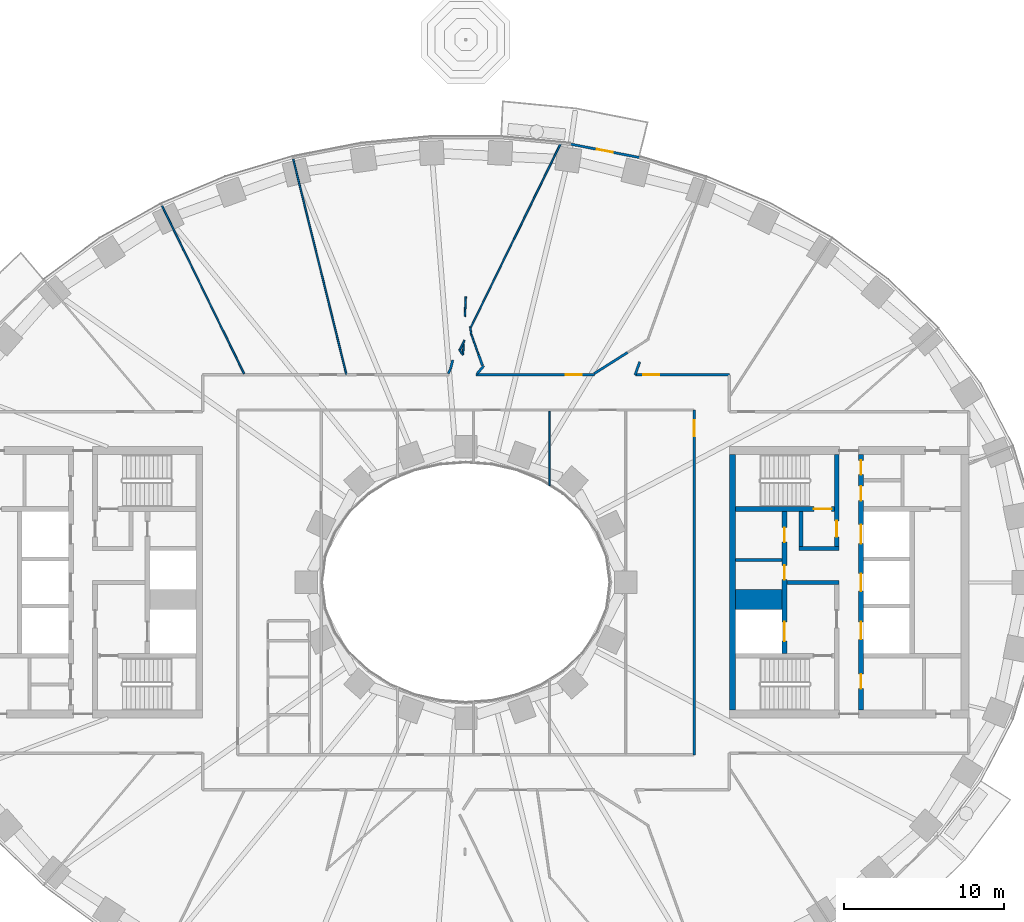
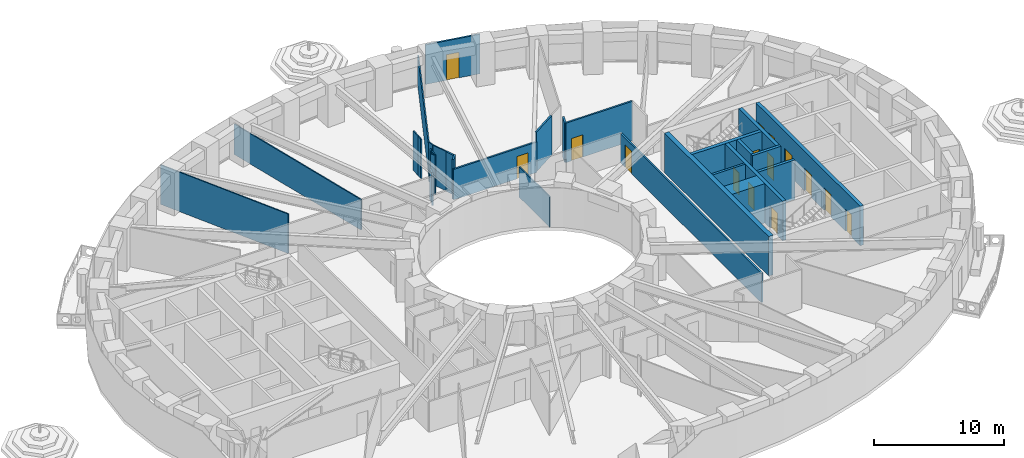
# One storey, part 6 of 20: 31 walls, 15 doors, 15 openings.
"""IFC4 building model written with IfcOpenShell, lengths in metres."""

from ifc_helpers import new_model, si_unit, direction, frame, frame_2d, origin, place, context, subcontext, project, spatial, rectangle, extrude, material, layer, layer_set, type_object, element, fill, save


model = new_model("IFC4")

# Units and contexts
model_context = context("Model", 3, precision=1e-05, world=origin(), true_north=direction((0.0, 1.0)))
body_context = subcontext(model_context, "Body", "Model", "MODEL_VIEW")
ifc_project = project(units=[si_unit("LENGTHUNIT", "METRE"), si_unit("AREAUNIT", "SQUARE_METRE"), si_unit("VOLUMEUNIT", "CUBIC_METRE"), si_unit("PLANEANGLEUNIT", "RADIAN"), si_unit("MASSUNIT", "GRAM", prefix="KILO")], contexts=[model_context])

# Site, building, storey
site_placement = place(None, origin())
site = spatial("IfcSite", under=ifc_project, at=site_placement, CompositionType="ELEMENT")
building_placement = place(site_placement, origin())
building = spatial("IfcBuilding", under=site, at=building_placement, Name="Noorbagh Ring Tower", CompositionType="ELEMENT")
storey_placement = place(building_placement, frame((0.0, 0.0, 34.5)))
storey = spatial("IfcBuildingStorey", under=building, at=storey_placement, Name="L06", CompositionType="ELEMENT", Elevation=34.5)

# Walls
ifc_material_1 = material(Name="Gypsum board on steel studs", Category="steel")
ifc_layer_1 = layer(ifc_material_1, 0.199951171875)
ifc_layer_set_1 = layer_set([ifc_layer_1], Name="Gypsum board on steel studs")
wall_type_1 = type_object("IfcWallType", Name="CORE-PARTITION-200", PredefinedType="PARTITIONING", material=ifc_layer_set_1)
wall_1_placement = place(storey_placement, frame((16.89990234375, 1.39990234375, 0.0), z_axis=(0.0, 0.0, 1.0), x_axis=(1.0, 0.0, 0.0)))
element("IfcWall", 1, at=wall_1_placement, inside=storey, type_object=wall_type_1, Name="Core partition E", PredefinedType="PARTITIONING", context=body_context, shape_type="SweptSolid", body=[
    extrude(rectangle(XDim=2.900146484375, YDim=0.199951171875, at=frame_2d((1.4501953125, 0.0))), origin(), (0.0, 0.0, 1.0), 3.699951171875),
])
ifc_material_2 = material(Name="Concrete C70/85", Category="concrete")
ifc_layer_2 = layer(ifc_material_2, 1.25)
ifc_layer_set_2 = layer_set([ifc_layer_2], Name="Concrete C70/85")
wall_type_2 = type_object("IfcWallType", Name="CORE-WALL-1250-C70-85-EI120", PredefinedType="SHEAR", material=ifc_layer_set_2)
wall_2_placement = place(storey_placement, frame((16.89990234375, -1.074951171875, 0.0), z_axis=(0.0, 0.0, 1.0), x_axis=(1.0, 0.0, 0.0)))
element("IfcWall", 2, at=wall_2_placement, inside=storey, type_object=wall_type_2, Name="Core wall E", PredefinedType="SHEAR", context=body_context, shape_type="SweptSolid", body=[
    extrude(rectangle(XDim=2.900146484375, YDim=1.25, at=frame_2d((1.4501953125, 0.0))), origin(), (0.0, 0.0, 1.0), 3.699951171875),
])
ifc_material_3 = material(Name="Concrete C70/85", Category="concrete")
ifc_layer_3 = layer(ifc_material_3, 0.25)
ifc_layer_set_3 = layer_set([ifc_layer_3], Name="Concrete C70/85")
wall_type_3 = type_object("IfcWallType", Name="CORE-WALL-250-C70-85-EI240", PredefinedType="SHEAR", material=ifc_layer_set_3)
wall_3_placement = place(storey_placement, frame((20.10009765625, 0.0, 0.0), z_axis=(0.0, 0.0, 1.0), x_axis=(1.0, 0.0, 0.0)))
element("IfcWall", 3, at=wall_3_placement, inside=storey, type_object=wall_type_3, Name="Core wall E", PredefinedType="SHEAR", context=body_context, shape_type="SweptSolid", body=[
    extrude(rectangle(XDim=3.27978515625, YDim=0.25, at=frame_2d((1.639892578125, 0.0))), origin(), (0.0, 0.0, 1.0), 3.699951171875),
])
wall_4_placement = place(storey_placement, frame((20.85009765625, 2.125, 0.0), z_axis=(0.0, 0.0, 1.0), x_axis=(1.0, 0.0, 0.0)))
element("IfcWall", 4, at=wall_4_placement, inside=storey, type_object=wall_type_3, Name="Core wall E", PredefinedType="SHEAR", context=body_context, shape_type="SweptSolid", body=[
    extrude(rectangle(XDim=2.52978515625, YDim=0.25, at=frame_2d((1.264892578125, 0.0))), origin(), (0.0, 0.0, 1.0), 3.699951171875),
])
wall_5_placement = place(storey_placement, frame((20.97509765625, 2.25, 0.0), z_axis=(0.0, 0.0, 1.0), x_axis=(0.0, 1.0, 0.0)))
element("IfcWall", 5, at=wall_5_placement, inside=storey, type_object=wall_type_3, Name="Core wall E", PredefinedType="SHEAR", context=body_context, shape_type="SweptSolid", body=[
    extrude(rectangle(XDim=2.199951171875, YDim=0.25, at=frame_2d((1.10009765625, 0.0))), origin(), (0.0, 0.0, 1.0), 3.699951171875),
])

# Wall, openings, doors
ifc_material_4 = material(Name="Concrete C70/85", Category="concrete")
ifc_layer_4 = layer(ifc_material_4, 0.300048828125)
ifc_layer_set_4 = layer_set([ifc_layer_4], Name="Concrete C70/85")
wall_type_4 = type_object("IfcWallType", Name="CORE-WALL-300-C70-85-EI120", PredefinedType="SHEAR", material=ifc_layer_set_4)
wall_6_placement = place(storey_placement, frame((19.949951171875, -4.449951171875, 0.0), z_axis=(0.0, 0.0, 1.0), x_axis=(0.0, 1.0, 0.0)))
wall_6 = element("IfcWall", 6, at=wall_6_placement, inside=storey, type_object=wall_type_4, Name="Core wall E", PredefinedType="SHEAR", context=body_context, shape_type="SweptSolid", body=[
    extrude(rectangle(XDim=8.89990234375, YDim=0.300048828125, at=frame_2d((4.449951171875, 0.0))), origin(), (0.0, 0.0, 1.0), 3.699951171875),
])
opening_1_placement = place(wall_6_placement, frame((0.77490234375, 0.0, 0.0)))
opening_1 = element("IfcOpeningElement", 7, at=opening_1_placement, cuts=wall_6, Name="Opening L06-CE01", PredefinedType="OPENING", context=body_context, shape_type="SweptSolid", body=[
    extrude(rectangle(XDim=1.199951171875, YDim=2.10009765625, at=frame_2d((0.60009765625, 1.050048828125))), frame((0.0, 0.16015625, 0.0), z_axis=(0.0, -1.0, 0.0), x_axis=(1.0, 0.0, 0.0)), (0.0, 0.0, 1.0), 0.320068359375),
])
opening_2_placement = place(wall_6_placement, frame((4.6201171875, 0.0, 0.0)))
opening_2 = element("IfcOpeningElement", 8, at=opening_2_placement, cuts=wall_6, Name="Opening L06-CE11", PredefinedType="OPENING", context=body_context, shape_type="SweptSolid", body=[
    extrude(rectangle(XDim=0.89990234375, YDim=2.10009765625, at=frame_2d((0.449951171875, 1.050048828125))), frame((0.0, 0.16015625, 0.0), z_axis=(0.0, -1.0, 0.0), x_axis=(1.0, 0.0, 0.0)), (0.0, 0.0, 1.0), 0.320068359375),
])
opening_3_placement = place(wall_6_placement, frame((6.97509765625, 0.0, 0.0)))
opening_3 = element("IfcOpeningElement", 9, at=opening_3_placement, cuts=wall_6, Name="Opening L06-CE12", PredefinedType="OPENING", context=body_context, shape_type="SweptSolid", body=[
    extrude(rectangle(XDim=0.89990234375, YDim=2.10009765625, at=frame_2d((0.449951171875, 1.050048828125))), frame((0.0, 0.16015625, 0.0), z_axis=(0.0, -1.0, 0.0), x_axis=(1.0, 0.0, 0.0)), (0.0, 0.0, 1.0), 0.320068359375),
])
ifc_material_5 = material(Name="Steel door leaf", Category="steel")
door_type_1 = type_object("IfcDoorType", Name="CORE-DOOR-DROOM", OperationType="SINGLE_SWING_LEFT", PredefinedType="DOOR", material=ifc_material_5)
door_1_placement = place(opening_2_placement, origin())
door_1 = element("IfcDoor", 10, at=door_1_placement, inside=storey, type_object=door_type_1, Name="Core room door L06-CE11", OperationType="SINGLE_SWING_LEFT", OverallHeight=2.10009765625, OverallWidth=0.89990234375, PredefinedType="DOOR", context=body_context, shape_type="SweptSolid", body=[
    extrude(rectangle(XDim=0.89990234375, YDim=2.10009765625, at=frame_2d((0.449951171875, 1.050048828125))), frame((0.0, 0.02490234375, 0.0), z_axis=(0.0, -1.0, 0.0), x_axis=(1.0, 0.0, 0.0)), (0.0, 0.0, 1.0), 0.050048828125),
])
fill(opening_2, door_1)
door_2_placement = place(opening_3_placement, origin())
door_2 = element("IfcDoor", 11, at=door_2_placement, inside=storey, type_object=door_type_1, Name="Core room door L06-CE12", OperationType="SINGLE_SWING_RIGHT", OverallHeight=2.10009765625, OverallWidth=0.89990234375, PredefinedType="DOOR", context=body_context, shape_type="SweptSolid", body=[
    extrude(rectangle(XDim=0.89990234375, YDim=2.10009765625, at=frame_2d((0.449951171875, 1.050048828125))), frame((0.0, 0.02490234375, 0.0), z_axis=(0.0, -1.0, 0.0), x_axis=(1.0, 0.0, 0.0)), (0.0, 0.0, 1.0), 0.050048828125),
])
fill(opening_3, door_2)
ifc_material_6 = material(Name="Steel door leaf", Category="steel")
door_type_2 = type_object("IfcDoorType", Name="CORE-DOOR-LDW", OperationType="DOUBLE_DOOR_SLIDING", PredefinedType="DOOR", material=ifc_material_6)
door_3_placement = place(opening_1_placement, origin())
door_3 = element("IfcDoor", 12, at=door_3_placement, inside=storey, type_object=door_type_2, Name="Landing door FF2 L06-CE01", OperationType="DOUBLE_DOOR_SLIDING", OverallHeight=2.10009765625, OverallWidth=1.199951171875, PredefinedType="DOOR", context=body_context, shape_type="SweptSolid", body=[
    extrude(rectangle(XDim=1.199951171875, YDim=2.10009765625, at=frame_2d((0.60009765625, 1.050048828125))), frame((0.0, 0.02490234375, 0.0), z_axis=(0.0, -1.0, 0.0), x_axis=(1.0, 0.0, 0.0)), (0.0, 0.0, 1.0), 0.050048828125),
])
fill(opening_1, door_3)

wall_7_placement = place(storey_placement, frame((24.75, -8.0, 0.0), z_axis=(0.0, 0.0, 1.0), x_axis=(0.0, 1.0, 0.0)))
wall_7 = element("IfcWall", 13, at=wall_7_placement, inside=storey, type_object=wall_type_4, Name="Core wall E", PredefinedType="SHEAR", context=body_context, shape_type="SweptSolid", body=[
    extrude(rectangle(XDim=16.0, YDim=0.300048828125, at=frame_2d((8.0, 0.0))), origin(), (0.0, 0.0, 1.0), 3.699951171875),
])
opening_4_placement = place(wall_7_placement, frame((4.425048828125, 0.0, 0.0)))
opening_4 = element("IfcOpeningElement", 14, at=opening_4_placement, cuts=wall_7, Name="Opening L06-CE02", PredefinedType="OPENING", context=body_context, shape_type="SweptSolid", body=[
    extrude(rectangle(XDim=1.10009765625, YDim=2.10009765625, at=frame_2d((0.550048828125, 1.050048828125))), frame((0.0, 0.16015625, 0.0), z_axis=(0.0, -1.0, 0.0), x_axis=(1.0, 0.0, 0.0)), (0.0, 0.0, 1.0), 0.320068359375),
])
opening_5_placement = place(wall_7_placement, frame((7.449951171875, 0.0, 0.0)))
opening_5 = element("IfcOpeningElement", 15, at=opening_5_placement, cuts=wall_7, Name="Opening L06-CE03", PredefinedType="OPENING", context=body_context, shape_type="SweptSolid", body=[
    extrude(rectangle(XDim=1.10009765625, YDim=2.10009765625, at=frame_2d((0.550048828125, 1.050048828125))), frame((0.0, 0.16015625, 0.0), z_axis=(0.0, -1.0, 0.0), x_axis=(1.0, 0.0, 0.0)), (0.0, 0.0, 1.0), 0.320068359375),
])
opening_6_placement = place(wall_7_placement, frame((10.425048828125, 0.0, 0.0)))
opening_6 = element("IfcOpeningElement", 16, at=opening_6_placement, cuts=wall_7, Name="Opening L06-CE04", PredefinedType="OPENING", context=body_context, shape_type="SweptSolid", body=[
    extrude(rectangle(XDim=1.199951171875, YDim=2.10009765625, at=frame_2d((0.60009765625, 1.050048828125))), frame((0.0, 0.16015625, 0.0), z_axis=(0.0, -1.0, 0.0), x_axis=(1.0, 0.0, 0.0)), (0.0, 0.0, 1.0), 0.320068359375),
])
opening_7_placement = place(wall_7_placement, frame((13.125, 0.0, 0.0)))
opening_7 = element("IfcOpeningElement", 17, at=opening_7_placement, cuts=wall_7, Name="Opening L06-CE13", PredefinedType="OPENING", context=body_context, shape_type="SweptSolid", body=[
    extrude(rectangle(XDim=0.89990234375, YDim=2.10009765625, at=frame_2d((0.449951171875, 1.050048828125))), frame((0.0, 0.16015625, 0.0), z_axis=(0.0, -1.0, 0.0), x_axis=(1.0, 0.0, 0.0)), (0.0, 0.0, 1.0), 0.320068359375),
])
opening_8_placement = place(wall_7_placement, frame((14.75, 0.0, 0.0)))
opening_8 = element("IfcOpeningElement", 18, at=opening_8_placement, cuts=wall_7, Name="Opening L06-CE14", PredefinedType="OPENING", context=body_context, shape_type="SweptSolid", body=[
    extrude(rectangle(XDim=0.89990234375, YDim=2.10009765625, at=frame_2d((0.449951171875, 1.050048828125))), frame((0.0, 0.16015625, 0.0), z_axis=(0.0, -1.0, 0.0), x_axis=(1.0, 0.0, 0.0)), (0.0, 0.0, 1.0), 0.320068359375),
])
opening_9_placement = place(wall_7_placement, frame((1.35009765625, 0.0, 0.0)))
opening_9 = element("IfcOpeningElement", 19, at=opening_9_placement, cuts=wall_7, Name="Opening L06-CE16", PredefinedType="OPENING", context=body_context, shape_type="SweptSolid", body=[
    extrude(rectangle(XDim=0.89990234375, YDim=2.10009765625, at=frame_2d((0.449951171875, 1.050048828125))), frame((0.0, 0.16015625, 0.0), z_axis=(0.0, -1.0, 0.0), x_axis=(1.0, 0.0, 0.0)), (0.0, 0.0, 1.0), 0.320068359375),
])
door_4_placement = place(opening_7_placement, origin())
door_4 = element("IfcDoor", 20, at=door_4_placement, inside=storey, type_object=door_type_1, Name="Core room door L06-CE13", OperationType="SINGLE_SWING_RIGHT", OverallHeight=2.10009765625, OverallWidth=0.89990234375, PredefinedType="DOOR", context=body_context, shape_type="SweptSolid", body=[
    extrude(rectangle(XDim=0.89990234375, YDim=2.10009765625, at=frame_2d((0.449951171875, 1.050048828125))), frame((0.0, 0.02490234375, 0.0), z_axis=(0.0, -1.0, 0.0), x_axis=(1.0, 0.0, 0.0)), (0.0, 0.0, 1.0), 0.050048828125),
])
fill(opening_7, door_4)
door_5_placement = place(opening_8_placement, origin())
door_5 = element("IfcDoor", 21, at=door_5_placement, inside=storey, type_object=door_type_1, Name="Core room door L06-CE14", OperationType="SINGLE_SWING_LEFT", OverallHeight=2.10009765625, OverallWidth=0.89990234375, PredefinedType="DOOR", context=body_context, shape_type="SweptSolid", body=[
    extrude(rectangle(XDim=0.89990234375, YDim=2.10009765625, at=frame_2d((0.449951171875, 1.050048828125))), frame((0.0, 0.02490234375, 0.0), z_axis=(0.0, -1.0, 0.0), x_axis=(1.0, 0.0, 0.0)), (0.0, 0.0, 1.0), 0.050048828125),
])
fill(opening_8, door_5)
door_6_placement = place(opening_9_placement, origin())
door_6 = element("IfcDoor", 22, at=door_6_placement, inside=storey, type_object=door_type_1, Name="Core room door L06-CE16", OperationType="SINGLE_SWING_RIGHT", OverallHeight=2.10009765625, OverallWidth=0.89990234375, PredefinedType="DOOR", context=body_context, shape_type="SweptSolid", body=[
    extrude(rectangle(XDim=0.89990234375, YDim=2.10009765625, at=frame_2d((0.449951171875, 1.050048828125))), frame((0.0, 0.02490234375, 0.0), z_axis=(0.0, -1.0, 0.0), x_axis=(1.0, 0.0, 0.0)), (0.0, 0.0, 1.0), 0.050048828125),
])
fill(opening_9, door_6)
ifc_material_7 = material(Name="Steel door leaf", Category="steel")
door_type_3 = type_object("IfcDoorType", Name="CORE-DOOR-LD", OperationType="DOUBLE_DOOR_SLIDING", PredefinedType="DOOR", material=ifc_material_7)
door_7_placement = place(opening_4_placement, origin())
door_7 = element("IfcDoor", 23, at=door_7_placement, inside=storey, type_object=door_type_3, Name="Landing door LR3 L06-CE02", OperationType="DOUBLE_DOOR_SLIDING", OverallHeight=2.10009765625, OverallWidth=1.10009765625, PredefinedType="DOOR", context=body_context, shape_type="SweptSolid", body=[
    extrude(rectangle(XDim=1.10009765625, YDim=2.10009765625, at=frame_2d((0.550048828125, 1.050048828125))), frame((0.0, 0.02490234375, 0.0), z_axis=(0.0, -1.0, 0.0), x_axis=(1.0, 0.0, 0.0)), (0.0, 0.0, 1.0), 0.050048828125),
])
fill(opening_4, door_7)
door_8_placement = place(opening_5_placement, origin())
door_8 = element("IfcDoor", 24, at=door_8_placement, inside=storey, type_object=door_type_3, Name="Landing door LR4 L06-CE03", OperationType="DOUBLE_DOOR_SLIDING", OverallHeight=2.10009765625, OverallWidth=1.10009765625, PredefinedType="DOOR", context=body_context, shape_type="SweptSolid", body=[
    extrude(rectangle(XDim=1.10009765625, YDim=2.10009765625, at=frame_2d((0.550048828125, 1.050048828125))), frame((0.0, 0.02490234375, 0.0), z_axis=(0.0, -1.0, 0.0), x_axis=(1.0, 0.0, 0.0)), (0.0, 0.0, 1.0), 0.050048828125),
])
fill(opening_5, door_8)
door_9_placement = place(opening_6_placement, origin())
door_9 = element("IfcDoor", 25, at=door_9_placement, inside=storey, type_object=door_type_2, Name="Landing door SV2 L06-CE04", OperationType="DOUBLE_DOOR_SLIDING", OverallHeight=2.10009765625, OverallWidth=1.199951171875, PredefinedType="DOOR", context=body_context, shape_type="SweptSolid", body=[
    extrude(rectangle(XDim=1.199951171875, YDim=2.10009765625, at=frame_2d((0.60009765625, 1.050048828125))), frame((0.0, 0.02490234375, 0.0), z_axis=(0.0, -1.0, 0.0), x_axis=(1.0, 0.0, 0.0)), (0.0, 0.0, 1.0), 0.050048828125),
])
fill(opening_6, door_9)

# Wall, opening, door
ifc_material_8 = material(Name="Concrete C70/85", Category="concrete")
ifc_layer_5 = layer(ifc_material_8, 0.300048828125)
ifc_layer_set_5 = layer_set([ifc_layer_5], Name="Concrete C70/85")
wall_type_5 = type_object("IfcWallType", Name="CORE-WALL-300-C70-85-EI240", PredefinedType="SHEAR", material=ifc_layer_set_5)
wall_8_placement = place(storey_placement, frame((23.22998046875, 2.25, 0.0), z_axis=(0.0, 0.0, 1.0), x_axis=(0.0, 1.0, 0.0)))
wall_8 = element("IfcWall", 26, at=wall_8_placement, inside=storey, type_object=wall_type_5, Name="Core wall E", PredefinedType="SHEAR", context=body_context, shape_type="SweptSolid", body=[
    extrude(rectangle(XDim=5.75, YDim=0.300048828125, at=frame_2d((2.875, 0.0))), origin(), (0.0, 0.0, 1.0), 3.699951171875),
])
opening_10_placement = place(wall_8_placement, frame((0.60009765625, 0.0, 0.0)))
opening_10 = element("IfcOpeningElement", 27, at=opening_10_placement, cuts=wall_8, Name="Opening L06-CE08", PredefinedType="OPENING", context=body_context, shape_type="SweptSolid", body=[
    extrude(rectangle(XDim=1.0, YDim=2.10009765625, at=frame_2d((0.5, 1.050048828125))), frame((0.0, 0.16015625, 0.0), z_axis=(0.0, -1.0, 0.0), x_axis=(1.0, 0.0, 0.0)), (0.0, 0.0, 1.0), 0.320068359375),
])
ifc_material_9 = material(Name="Steel door leaf", Category="steel")
door_type_4 = type_object("IfcDoorType", Name="CORE-DOOR-DVEST", OperationType="SINGLE_SWING_LEFT", PredefinedType="DOOR", material=ifc_material_9)
door_10_placement = place(opening_10_placement, origin())
door_10 = element("IfcDoor", 28, at=door_10_placement, inside=storey, type_object=door_type_4, Name="Stair vestibule door L06-CE08", OperationType="SINGLE_SWING_RIGHT", OverallHeight=2.10009765625, OverallWidth=1.0, PredefinedType="DOOR", context=body_context, shape_type="SweptSolid", body=[
    extrude(rectangle(XDim=1.0, YDim=2.10009765625, at=frame_2d((0.5, 1.050048828125))), frame((0.0, 0.02490234375, 0.0), z_axis=(0.0, -1.0, 0.0), x_axis=(1.0, 0.0, 0.0)), (0.0, 0.0, 1.0), 0.050048828125),
])
fill(opening_10, door_10)

wall_9_placement = place(storey_placement, frame((16.89990234375, 4.60009765625, 0.0), z_axis=(0.0, 0.0, 1.0), x_axis=(1.0, 0.0, 0.0)))
wall_9 = element("IfcWall", 29, at=wall_9_placement, inside=storey, type_object=wall_type_5, Name="Core wall E", PredefinedType="SHEAR", context=body_context, shape_type="SweptSolid", body=[
    extrude(rectangle(XDim=6.18017578125, YDim=0.300048828125, at=frame_2d((3.090087890625, 0.0))), origin(), (0.0, 0.0, 1.0), 3.699951171875),
])
opening_11_placement = place(wall_9_placement, frame((4.89990234375, 0.0, 0.0)))
opening_11 = element("IfcOpeningElement", 30, at=opening_11_placement, cuts=wall_9, Name="Opening L06-CE05", PredefinedType="OPENING", context=body_context, shape_type="SweptSolid", body=[
    extrude(rectangle(XDim=1.10009765625, YDim=2.10009765625, at=frame_2d((0.550048828125, 1.050048828125))), frame((0.0, 0.16015625, 0.0), z_axis=(0.0, -1.0, 0.0), x_axis=(1.0, 0.0, 0.0)), (0.0, 0.0, 1.0), 0.320068359375),
])
ifc_material_10 = material(Name="Steel door leaf", Category="steel")
door_type_5 = type_object("IfcDoorType", Name="CORE-DOOR-DSTAIR", OperationType="SINGLE_SWING_LEFT", PredefinedType="DOOR", material=ifc_material_10)
door_11_placement = place(opening_11_placement, origin())
door_11 = element("IfcDoor", 31, at=door_11_placement, inside=storey, type_object=door_type_5, Name="Stair door ST3 L06-CE05", OperationType="SINGLE_SWING_LEFT", OverallHeight=2.10009765625, OverallWidth=1.10009765625, PredefinedType="DOOR", context=body_context, shape_type="SweptSolid", body=[
    extrude(rectangle(XDim=1.10009765625, YDim=2.10009765625, at=frame_2d((0.550048828125, 1.050048828125))), frame((0.0, 0.02490234375, 0.0), z_axis=(0.0, -1.0, 0.0), x_axis=(1.0, 0.0, 0.0)), (0.0, 0.0, 1.0), 0.050048828125),
])
fill(opening_11, door_11)

# Walls
ifc_material_11 = material(Name="Concrete C70/85", Category="concrete")
ifc_layer_6 = layer(ifc_material_11, 0.39990234375)
ifc_layer_set_6 = layer_set([ifc_layer_6], Name="Concrete C70/85")
wall_type_6 = type_object("IfcWallType", Name="CORE-WALL-400-C70-85-EI240", PredefinedType="SHEAR", material=ifc_layer_set_6)
wall_10_placement = place(storey_placement, frame((16.699951171875, -8.0, 0.0), z_axis=(0.0, 0.0, 1.0), x_axis=(0.0, 1.0, 0.0)))
element("IfcWall", 32, at=wall_10_placement, inside=storey, type_object=wall_type_6, Name="Core wall E", PredefinedType="SHEAR", context=body_context, shape_type="SweptSolid", body=[
    extrude(rectangle(XDim=16.0, YDim=0.39990234375, at=frame_2d((8.0, 0.0))), origin(), (0.0, 0.0, 1.0), 3.699951171875),
])
ifc_material_12 = material(Name="Gypsum board on steel studs", Category="steel")
ifc_layer_7 = layer(ifc_material_12, 0.14990234375)
ifc_layer_set_7 = layer_set([ifc_layer_7], Name="Gypsum board on steel studs")
wall_type_7 = type_object("IfcWallType", Name="CORRIDOR PARTITION 150 EI 30", PredefinedType="PARTITIONING", material=ifc_layer_set_7)
wall_11_placement = place(storey_placement, frame((-1.111083984375, 13.0791015625, 0.0), z_axis=(0.0, 0.0, 1.0), x_axis=(0.440240923942, 0.897879685084, 0.0)))
element("IfcWall", 33, at=wall_11_placement, inside=storey, type_object=wall_type_7, Name="L06/wall/P37", PredefinedType="PARTITIONING", context=body_context, shape_type="SweptSolid", body=[
    extrude(rectangle(XDim=0.32275390625, YDim=0.14990234375, at=frame_2d((0.161376953125, 0.0))), origin(), (0.0, 0.0, 1.0), 2.85009765625),
])
wall_12_placement = place(storey_placement, frame((-0.965087890625, 13.385986328125, 0.0), z_axis=(0.0, 0.0, 1.0), x_axis=(0.240473799965, 0.970655629732, 0.0)))
element("IfcWall", 34, at=wall_12_placement, inside=storey, type_object=wall_type_7, Name="L06/wall/P39", PredefinedType="PARTITIONING", context=body_context, shape_type="SweptSolid", body=[
    extrude(rectangle(XDim=0.557373046875, YDim=0.14990234375, at=frame_2d((0.27880859375, 0.0))), origin(), (0.0, 0.0, 1.0), 2.85009765625),
])

# Wall, opening, door
wall_13_placement = place(storey_placement, frame((0.64306640625, 13.0, 0.0), z_axis=(0.0, 0.0, 1.0), x_axis=(1.0, 0.0, 0.0)))
wall_13 = element("IfcWall", 35, at=wall_13_placement, inside=storey, type_object=wall_type_7, Name="L06/wall/P54", PredefinedType="PARTITIONING", context=body_context, shape_type="SweptSolid", body=[
    extrude(rectangle(XDim=7.404052734375, YDim=0.14990234375, at=frame_2d((3.7021484375, 0.0))), origin(), (0.0, 0.0, 1.0), 2.85009765625),
])
opening_12_placement = place(wall_13_placement, frame((5.614013671875, 0.0, 0.0)))
opening_12 = element("IfcOpeningElement", 36, at=opening_12_placement, cuts=wall_13, Name="Opening D1", PredefinedType="OPENING", context=body_context, shape_type="SweptSolid", body=[
    extrude(rectangle(XDim=1.0, YDim=2.10009765625, at=frame_2d((0.5, 1.050048828125))), frame((0.0, 0.0849609375, 0.0), z_axis=(0.0, -1.0, 0.0), x_axis=(1.0, 0.0, 0.0)), (0.0, 0.0, 1.0), 0.169921875),
])
ifc_material_13 = material(Name="Timber, painted", Category="wood")
door_type_6 = type_object("IfcDoorType", Name="DOOR 1000 X 2100 FD30", OperationType="SINGLE_SWING_LEFT", PredefinedType="DOOR", material=ifc_material_13)
door_12_placement = place(opening_12_placement, origin())
door_12 = element("IfcDoor", 37, at=door_12_placement, inside=storey, type_object=door_type_6, Name="L06-D17", OperationType="SINGLE_SWING_LEFT", OverallHeight=2.10009765625, OverallWidth=1.0, PredefinedType="DOOR", context=body_context, shape_type="SweptSolid", body=[
    extrude(rectangle(XDim=1.0, YDim=2.10009765625, at=frame_2d((0.5, 1.050048828125))), frame((0.0, 0.02490234375, 0.0), z_axis=(0.0, -1.0, 0.0), x_axis=(1.0, 0.0, 0.0)), (0.0, 0.0, 1.0), 0.050048828125),
])
fill(opening_12, door_12)

# Walls
wall_14_placement = place(storey_placement, frame((0.69189453125, 13.06494140625, 0.0), z_axis=(0.0, 0.0, 1.0), x_axis=(0.645925733167, 0.763400253623, 0.0)))
element("IfcWall", 38, at=wall_14_placement, inside=storey, type_object=wall_type_7, Name="L06/wall/P55", PredefinedType="PARTITIONING", context=body_context, shape_type="SweptSolid", body=[
    extrude(rectangle(XDim=0.662841796875, YDim=0.14990234375, at=frame_2d((0.33154296875, 0.0))), origin(), (0.0, 0.0, 1.0), 3.699951171875),
])
wall_15_placement = place(storey_placement, frame((0.7880859375, 14.27294921875, 0.0), z_axis=(0.0, 0.0, 1.0), x_axis=(0.338541598468, -0.940951426008, 0.0)))
element("IfcWall", 39, at=wall_15_placement, inside=storey, type_object=wall_type_7, Name="L06/wall/P56", PredefinedType="PARTITIONING", context=body_context, shape_type="SweptSolid", body=[
    extrude(rectangle(XDim=0.72900390625, YDim=0.14990234375, at=frame_2d((0.364501953125, 0.0))), origin(), (0.0, 0.0, 1.0), 3.699951171875),
])
wall_16_placement = place(storey_placement, frame((8.028076171875, 13.076904296875, 0.0), z_axis=(0.0, 0.0, 1.0), x_axis=(0.844718865656, 0.53521027457, 0.0)))
element("IfcWall", 40, at=wall_16_placement, inside=storey, type_object=wall_type_7, Name="L06/wall/P63", PredefinedType="PARTITIONING", context=body_context, shape_type="SweptSolid", body=[
    extrude(rectangle(XDim=2.49658203125, YDim=0.14990234375, at=frame_2d((1.248291015625, 0.0))), origin(), (0.0, 0.0, 1.0), 3.699951171875),
])
wall_17_placement = place(storey_placement, frame((10.594970703125, 13.0, 0.0), z_axis=(0.0, 0.0, 1.0), x_axis=(0.338659506624, 0.940908995904, 0.0)))
element("IfcWall", 41, at=wall_17_placement, inside=storey, type_object=wall_type_7, Name="L06/wall/P68", PredefinedType="PARTITIONING", context=body_context, shape_type="SweptSolid", body=[
    extrude(rectangle(XDim=0.864990234375, YDim=0.14990234375, at=frame_2d((0.4326171875, 0.0))), origin(), (0.0, 0.0, 1.0), 3.699951171875),
])

# Wall, opening, door
wall_18_placement = place(storey_placement, frame((10.60693359375, 13.0, 0.0), z_axis=(0.0, 0.0, 1.0), x_axis=(1.0, 0.0, 0.0)))
wall_18 = element("IfcWall", 42, at=wall_18_placement, inside=storey, type_object=wall_type_7, Name="L06/wall/P70", PredefinedType="PARTITIONING", context=body_context, shape_type="SweptSolid", body=[
    extrude(rectangle(XDim=5.89306640625, YDim=0.14990234375, at=frame_2d((2.946533203125, 0.0))), origin(), (0.0, 0.0, 1.0), 3.699951171875),
])
opening_13_placement = place(wall_18_placement, frame((0.492919921875, 0.0, 0.0)))
opening_13 = element("IfcOpeningElement", 43, at=opening_13_placement, cuts=wall_18, Name="Opening D1", PredefinedType="OPENING", context=body_context, shape_type="SweptSolid", body=[
    extrude(rectangle(XDim=1.0, YDim=2.10009765625, at=frame_2d((0.5, 1.050048828125))), frame((0.0, 0.0849609375, 0.0), z_axis=(0.0, -1.0, 0.0), x_axis=(1.0, 0.0, 0.0)), (0.0, 0.0, 1.0), 0.169921875),
])
door_13_placement = place(opening_13_placement, origin())
door_13 = element("IfcDoor", 44, at=door_13_placement, inside=storey, type_object=door_type_6, Name="L06-D20", OperationType="SINGLE_SWING_RIGHT", OverallHeight=2.10009765625, OverallWidth=1.0, PredefinedType="DOOR", context=body_context, shape_type="SweptSolid", body=[
    extrude(rectangle(XDim=1.0, YDim=2.10009765625, at=frame_2d((0.5, 1.050048828125))), frame((0.0, 0.02490234375, 0.0), z_axis=(0.0, -1.0, 0.0), x_axis=(1.0, 0.0, 0.0)), (0.0, 0.0, 1.0), 0.050048828125),
])
fill(opening_13, door_13)

wall_19_placement = place(storey_placement, frame((14.300048828125, -10.800048828125, 0.0), z_axis=(0.0, 0.0, 1.0), x_axis=(0.0, 1.0, 0.0)))
wall_19 = element("IfcWall", 45, at=wall_19_placement, inside=storey, type_object=wall_type_7, Name="L06/wall/P73", PredefinedType="PARTITIONING", context=body_context, shape_type="SweptSolid", body=[
    extrude(rectangle(XDim=21.60009765625, YDim=0.14990234375, at=frame_2d((10.800048828125, 0.0))), origin(), (0.0, 0.0, 1.0), 2.75),
])
opening_14_placement = place(wall_19_placement, frame((19.949951171875, 0.0, 0.0)))
opening_14 = element("IfcOpeningElement", 46, at=opening_14_placement, cuts=wall_19, Name="Opening D1", PredefinedType="OPENING", context=body_context, shape_type="SweptSolid", body=[
    extrude(rectangle(XDim=1.0, YDim=2.10009765625, at=frame_2d((0.5, 1.050048828125))), frame((0.0, 0.0849609375, 0.0), z_axis=(0.0, -1.0, 0.0), x_axis=(1.0, 0.0, 0.0)), (0.0, 0.0, 1.0), 0.169921875),
])
door_14_placement = place(opening_14_placement, origin())
door_14 = element("IfcDoor", 47, at=door_14_placement, inside=storey, type_object=door_type_6, Name="L06-D31", OperationType="SINGLE_SWING_LEFT", OverallHeight=2.10009765625, OverallWidth=1.0, PredefinedType="DOOR", context=body_context, shape_type="SweptSolid", body=[
    extrude(rectangle(XDim=1.0, YDim=2.10009765625, at=frame_2d((0.5, 1.050048828125))), frame((0.0, 0.02490234375, 0.0), z_axis=(0.0, -1.0, 0.0), x_axis=(1.0, 0.0, 0.0)), (0.0, 0.0, 1.0), 0.050048828125),
])
fill(opening_14, door_14)

ifc_material_14 = material(Name="Insulated aluminium clad panel", Category="aluminium")
ifc_layer_8 = layer(ifc_material_14, 0.14990234375)
ifc_layer_set_8 = layer_set([ifc_layer_8], Name="Insulated aluminium clad panel")
wall_type_8 = type_object("IfcWallType", Name="ENV-WALL-DOOR", PredefinedType="STANDARD", material=ifc_layer_set_8)
wall_20_placement = place(storey_placement, frame((10.87060546875, 26.616943359375, 0.0), z_axis=(0.0, 0.0, 1.0), x_axis=(-0.981631174778, 0.190788460615, 0.0)))
wall_20 = element("IfcWall", 48, at=wall_20_placement, inside=storey, type_object=wall_type_8, Name="Balcony door wall chord 10", PredefinedType="STANDARD", context=body_context, shape_type="SweptSolid", body=[
    extrude(rectangle(XDim=4.42626953125, YDim=0.14990234375, at=frame_2d((2.213134765625, 0.0))), origin(), (0.0, 0.0, 1.0), 3.699951171875),
])
opening_15_placement = place(wall_20_placement, frame((1.713134765625, 0.0, 0.0)))
opening_15 = element("IfcOpeningElement", 49, at=opening_15_placement, cuts=wall_20, Name="Opening D-BL", PredefinedType="OPENING", context=body_context, shape_type="SweptSolid", body=[
    extrude(rectangle(XDim=1.0, YDim=2.39990234375, at=frame_2d((0.5, 1.199951171875))), frame((0.0, 0.0849609375, 0.0), z_axis=(0.0, -1.0, 0.0), x_axis=(1.0, 0.0, 0.0)), (0.0, 0.0, 1.0), 0.169921875),
])
ifc_material_15 = material(Name="Aluminium and glass", Category="aluminium")
door_type_7 = type_object("IfcDoorType", Name="ENV-DOOR-BALCONY", OperationType="SINGLE_SWING_LEFT", PredefinedType="DOOR", material=ifc_material_15)
door_15_placement = place(opening_15_placement, origin())
door_15 = element("IfcDoor", 50, at=door_15_placement, inside=storey, type_object=door_type_7, Name="Balcony door chord 10", OperationType="SINGLE_SWING_LEFT", OverallHeight=2.39990234375, OverallWidth=1.0, PredefinedType="DOOR", context=body_context, shape_type="SweptSolid", body=[
    extrude(rectangle(XDim=1.0, YDim=2.39990234375, at=frame_2d((0.5, 1.199951171875))), frame((0.0, 0.02490234375, 0.0), z_axis=(0.0, -1.0, 0.0), x_axis=(1.0, 0.0, 0.0)), (0.0, 0.0, 1.0), 0.050048828125),
])
fill(opening_15, door_15)

# Walls
ifc_material_16 = material(Name="Gypsum board on steel studs", Category="steel")
ifc_layer_9 = layer(ifc_material_16, 0.10009765625)
ifc_layer_set_9 = layer_set([ifc_layer_9], Name="Gypsum board on steel studs")
wall_type_9 = type_object("IfcWallType", Name="PARTITION 100 GYPSUM", PredefinedType="PARTITIONING", material=ifc_layer_set_9)
wall_21_placement = place(storey_placement, frame((-19.0859375, 23.68505859375, 0.0), z_axis=(0.0, 0.0, 1.0), x_axis=(0.439199750603, -0.898389436197, 0.0)))
element("IfcWall", 51, at=wall_21_placement, inside=storey, type_object=wall_type_9, Name="L06/wall/P11", PredefinedType="PARTITIONING", context=body_context, shape_type="SweptSolid", body=[
    extrude(rectangle(XDim=11.81005859375, YDim=0.10009765625, at=frame_2d((5.905029296875, 0.0))), origin(), (0.0, 0.0, 1.0), 3.699951171875),
])
wall_22_placement = place(storey_placement, frame((-10.85302734375, 26.64599609375, 0.0), z_axis=(0.0, 0.0, 1.0), x_axis=(0.239763745499, -0.97083126564, 0.0)))
element("IfcWall", 52, at=wall_22_placement, inside=storey, type_object=wall_type_9, Name="L06/wall/P25", PredefinedType="PARTITIONING", context=body_context, shape_type="SweptSolid", body=[
    extrude(rectangle(XDim=14.055908203125, YDim=0.10009765625, at=frame_2d((7.02783203125, 0.0))), origin(), (0.0, 0.0, 1.0), 2.85009765625),
])
wall_23_placement = place(storey_placement, frame((-0.423095703125, 14.60205078125, 0.0), z_axis=(0.0, 0.0, 1.0), x_axis=(0.543729850084, -0.839260299387, 0.0)))
element("IfcWall", 53, at=wall_23_placement, inside=storey, type_object=wall_type_9, Name="L06/wall/P41", PredefinedType="PARTITIONING", context=body_context, shape_type="SweptSolid", body=[
    extrude(rectangle(XDim=0.4228515625, YDim=0.10009765625, at=frame_2d((0.21142578125, 0.0))), origin(), (0.0, 0.0, 1.0), 3.699951171875),
])
wall_24_placement = place(storey_placement, frame((-0.364990234375, 14.60498046875, 0.0), z_axis=(0.0, 0.0, 1.0), x_axis=(0.43877676088, 0.898596101767, 0.0)))
element("IfcWall", 54, at=wall_24_placement, inside=storey, type_object=wall_type_9, Name="L06/wall/P42", PredefinedType="PARTITIONING", context=body_context, shape_type="SweptSolid", body=[
    extrude(rectangle(XDim=0.62646484375, YDim=0.10009765625, at=frame_2d((0.313232421875, 0.0))), origin(), (0.0, 0.0, 1.0), 3.699951171875),
])
wall_25_placement = place(storey_placement, frame((-0.18408203125, 14.260009765625, 0.0), z_axis=(0.0, 0.0, 1.0), x_axis=(0.048551210017, 0.998820694622, 0.0)))
element("IfcWall", 55, at=wall_25_placement, inside=storey, type_object=wall_type_9, Name="L06/wall/P44", PredefinedType="PARTITIONING", context=body_context, shape_type="SweptSolid", body=[
    extrude(rectangle(XDim=0.65869140625, YDim=0.10009765625, at=frame_2d((0.329345703125, 0.0))), origin(), (0.0, 0.0, 1.0), 3.699951171875),
])
wall_26_placement = place(storey_placement, frame((-0.069091796875, 16.657958984375, 0.0), z_axis=(0.0, 0.0, 1.0), x_axis=(0.046725861685, 0.99890775042, 0.0)))
element("IfcWall", 56, at=wall_26_placement, inside=storey, type_object=wall_type_9, Name="L06/wall/P46", PredefinedType="PARTITIONING", context=body_context, shape_type="SweptSolid", body=[
    extrude(rectangle(XDim=0.428466796875, YDim=0.10009765625, at=frame_2d((0.21435546875, 0.0))), origin(), (0.0, 0.0, 1.0), 3.699951171875),
])
wall_27_placement = place(storey_placement, frame((-0.048095703125, 17.10302734375, 0.0), z_axis=(0.0, 0.0, 1.0), x_axis=(0.046334071415, 0.998926000175, 0.0)))
element("IfcWall", 57, at=wall_27_placement, inside=storey, type_object=wall_type_9, Name="L06/wall/P47", PredefinedType="PARTITIONING", context=body_context, shape_type="SweptSolid", body=[
    extrude(rectangle(XDim=0.801025390625, YDim=0.10009765625, at=frame_2d((0.400390625, 0.0))), origin(), (0.0, 0.0, 1.0), 3.699951171875),
])
wall_28_placement = place(storey_placement, frame((0.264892578125, 16.008056640625, 0.0), z_axis=(0.0, 0.0, 1.0), x_axis=(0.143728876455, -0.989617102759, 0.0)))
element("IfcWall", 58, at=wall_28_placement, inside=storey, type_object=wall_type_9, Name="L06/wall/P48", PredefinedType="PARTITIONING", context=body_context, shape_type="SweptSolid", body=[
    extrude(rectangle(XDim=0.473876953125, YDim=0.10009765625, at=frame_2d((0.23681640625, 0.0))), origin(), (0.0, 0.0, 1.0), 3.699951171875),
])
wall_29_placement = place(storey_placement, frame((0.31689453125, 16.0, 0.0), z_axis=(0.0, 0.0, 1.0), x_axis=(0.43922717886, 0.898376026701, 0.0)))
element("IfcWall", 59, at=wall_29_placement, inside=storey, type_object=wall_type_9, Name="L06/wall/P49", PredefinedType="PARTITIONING", context=body_context, shape_type="SweptSolid", body=[
    extrude(rectangle(XDim=12.84326171875, YDim=0.10009765625, at=frame_2d((6.421630859375, 0.0))), origin(), (0.0, 0.0, 1.0), 2.85009765625),
])
wall_30_placement = place(storey_placement, frame((0.340087890625, 15.52099609375, 0.0), z_axis=(0.0, 0.0, 1.0), x_axis=(0.338134523253, -0.941097786728, 0.0)))
element("IfcWall", 60, at=wall_30_placement, inside=storey, type_object=wall_type_9, Name="L06/wall/P50", PredefinedType="PARTITIONING", context=body_context, shape_type="SweptSolid", body=[
    extrude(rectangle(XDim=1.3154296875, YDim=0.10009765625, at=frame_2d((0.65771484375, 0.0))), origin(), (0.0, 0.0, 1.0), 3.699951171875),
])
wall_31_placement = place(storey_placement, frame((5.242919921875, 6.05908203125, 0.0), z_axis=(0.0, 0.0, 1.0), x_axis=(0.0, 1.0, 0.0)))
element("IfcWall", 61, at=wall_31_placement, inside=storey, type_object=wall_type_9, Name="L06/wall/P60", PredefinedType="PARTITIONING", context=body_context, shape_type="SweptSolid", body=[
    extrude(rectangle(XDim=4.666015625, YDim=0.10009765625, at=frame_2d((2.3330078125, 0.0))), origin(), (0.0, 0.0, 1.0), 2.85009765625),
])

save(model, "model.ifc")
